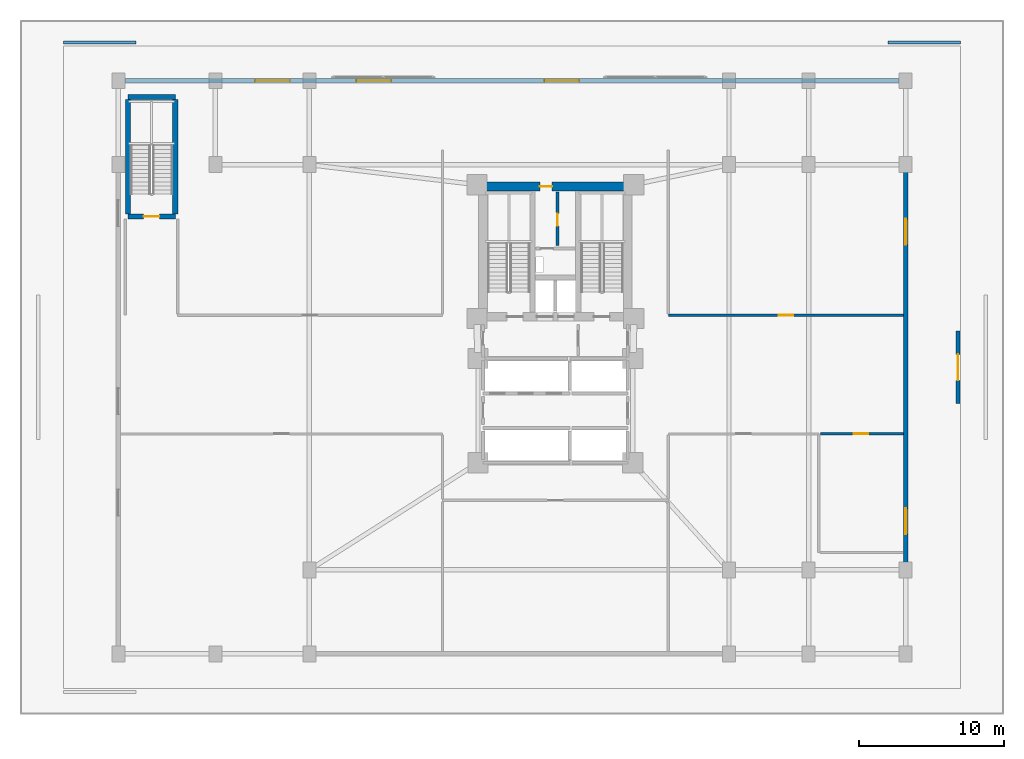
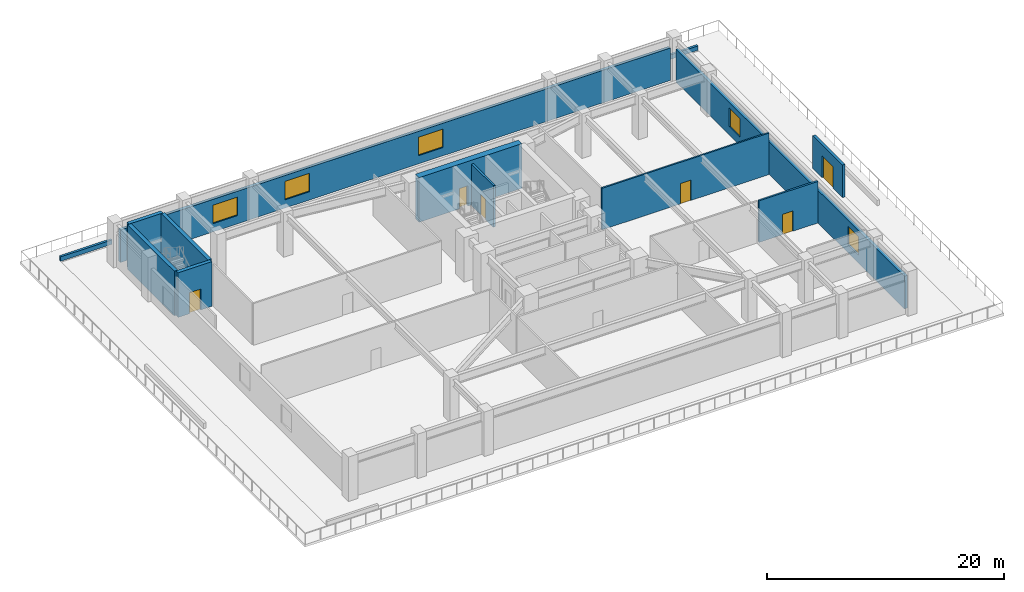
# One storey, part 7 of 10: 13 walls, 6 doors, 5 windows, 11 openings.
"""IFC4 building model written with IfcOpenShell, lengths in metres."""

from ifc_helpers import new_model, si_unit, direction, frame, frame_2d, origin, place, context, subcontext, project, spatial, rectangle, extrude, material, layer, layer_set, type_object, element, fill, save


model = new_model("IFC4")

# Units and contexts
model_context = context("Model", 3, precision=1e-05, world=origin(), true_north=direction((0.0, 1.0)))
body_context = subcontext(model_context, "Body", "Model", "MODEL_VIEW")
ifc_project = project(units=[si_unit("LENGTHUNIT", "METRE"), si_unit("AREAUNIT", "SQUARE_METRE"), si_unit("VOLUMEUNIT", "CUBIC_METRE"), si_unit("PLANEANGLEUNIT", "RADIAN"), si_unit("MASSUNIT", "GRAM", prefix="KILO")], contexts=[model_context])

# Site, building, storey
site_placement = place(None, origin())
site = spatial("IfcSite", under=ifc_project, at=site_placement, CompositionType="ELEMENT")
building_placement = place(site_placement, origin())
building = spatial("IfcBuilding", under=site, at=building_placement, Name="Varnakorn Sky Granary", CompositionType="ELEMENT")
storey_placement = place(building_placement, frame((0.0, 0.0, 9.199951171875)))
storey = spatial("IfcBuildingStorey", under=building, at=storey_placement, Name="L02", CompositionType="ELEMENT", Elevation=9.199951171875)

# Wall, opening, door
ifc_material_1 = material(Name="Concrete C50/60", Category="concrete")
ifc_layer_1 = layer(ifc_material_1, 0.35009765625, Name="Concrete C50/60")
ifc_layer_set_1 = layer_set([ifc_layer_1], Name="Concrete C50/60")
wall_type_1 = type_object("IfcWallType", Name="WT-CW-INT-350", PredefinedType="SHEAR", material=ifc_layer_set_1)
wall_1_placement = place(storey_placement, frame((-26.550048828125, 10.419921875, 0.0), z_axis=(0.0, 0.0, 1.0), x_axis=(1.0, 0.0, 0.0)))
wall_1 = element("IfcWall", 1, at=wall_1_placement, inside=storey, type_object=wall_type_1, Name="Podium Stair ST-B3 South Wall L02", PredefinedType="SHEAR", context=body_context, shape_type="SweptSolid", body=[
    extrude(rectangle(XDim=3.280029296875, YDim=0.35009765625, at=frame_2d((1.64013671875, 0.0))), origin(), (0.0, 0.0, 1.0), 4.592041015625),
])
opening_1_placement = place(wall_1_placement, frame((1.090087890625, 0.0, 0.0)))
opening_1 = element("IfcOpeningElement", 2, at=opening_1_placement, cuts=wall_1, Name="Opening FD-90", PredefinedType="OPENING", context=body_context, shape_type="SweptSolid", body=[
    extrude(rectangle(XDim=1.10009765625, YDim=2.14990234375, at=frame_2d((0.550048828125, 1.074951171875))), frame((0.0, 0.18505859375, 0.0), z_axis=(0.0, -1.0, 0.0), x_axis=(1.0, 0.0, 0.0)), (0.0, 0.0, 1.0), 0.3701171875),
])
ifc_material_2 = material(Name="Galvanised Painted Steel Leaf", Category="steel")
door_type_1 = type_object("IfcDoorType", Name="DR-STAIR-1100", OperationType="NOTDEFINED", PredefinedType="DOOR", material=ifc_material_2)
door_1_placement = place(opening_1_placement, origin())
door_1 = element("IfcDoor", 3, at=door_1_placement, inside=storey, type_object=door_type_1, Name="Basement Stair ST-B3 Protected Fire Door L02", OperationType="SINGLE_SWING_LEFT", OverallHeight=2.14990234375, OverallWidth=1.10009765625, PredefinedType="DOOR", context=body_context, shape_type="SweptSolid", body=[
    extrude(rectangle(XDim=1.10009765625, YDim=2.14990234375, at=frame_2d((0.550048828125, 1.074951171875))), frame((0.0, 0.02490234375, 0.0), z_axis=(0.0, -1.0, 0.0), x_axis=(1.0, 0.0, 0.0)), (0.0, 0.0, 1.0), 0.050048828125),
])
fill(opening_1, door_1)

# Walls
wall_2_placement = place(storey_placement, frame((-26.550048828125, 18.679931640625, 0.0), z_axis=(0.0, 0.0, 1.0), x_axis=(1.0, 0.0, 0.0)))
element("IfcWall", 4, at=wall_2_placement, inside=storey, type_object=wall_type_1, Name="Podium Stair ST-B3 North Wall L02", PredefinedType="SHEAR", context=body_context, shape_type="SweptSolid", body=[
    extrude(rectangle(XDim=3.280029296875, YDim=0.35009765625, at=frame_2d((1.64013671875, 0.0))), origin(), (0.0, 0.0, 1.0), 4.592041015625),
])
for number, where, z_axis, x_axis, name in (
    (5, (-26.550048828125, 10.610107421875, 0.0), (0.0, 0.0, 1.0), (0.0, 1.0, 0.0), "Podium Stair ST-B3 West Wall L02"),
    (6, (-23.27001953125, 10.610107421875, 0.0), (0.0, 0.0, 1.0), (0.0, 1.0, 0.0), "Podium Stair ST-B3 East Wall L02"),
):
    element("IfcWall", number, at=place(storey_placement, frame(where, z_axis=z_axis, x_axis=x_axis)), inside=storey, type_object=wall_type_1, Name=name, PredefinedType="SHEAR", context=body_context, shape_type="SweptSolid", body=[
        extrude(rectangle(XDim=7.8798828125, YDim=0.35009765625, at=frame_2d((3.93994140625, 0.0))), origin(), (0.0, 0.0, 1.0), 4.592041015625),
    ])

# Wall, opening, door
ifc_material_3 = material(Name="Concrete C60/75", Category="concrete")
ifc_layer_2 = layer(ifc_material_3, 0.60009765625, Name="Concrete C60/75")
ifc_layer_set_2 = layer_set([ifc_layer_2], Name="Concrete C60/75")
wall_type_2 = type_object("IfcWallType", Name="WT-CW-SHEAR-600", PredefinedType="SHEAR", material=ifc_layer_set_2)
wall_3_placement = place(storey_placement, frame((-2.0, 12.5, 0.0), z_axis=(0.0, 0.0, 1.0), x_axis=(1.0, 0.0, 0.0)))
wall_3 = element("IfcWall", 7, at=wall_3_placement, inside=storey, type_object=wall_type_2, Name="Core North Shear Wall L02", PredefinedType="SHEAR", context=body_context, shape_type="SweptSolid", body=[
    extrude(rectangle(XDim=10.0, YDim=0.60009765625, at=frame_2d((5.0, 0.0))), origin(), (0.0, 0.0, 1.0), 4.592041015625),
])
opening_2_placement = place(wall_3_placement, frame((3.919921875, 0.0, 0.0)))
opening_2 = element("IfcOpeningElement", 8, at=opening_2_placement, cuts=wall_3, Name="Opening FD-60N", PredefinedType="OPENING", context=body_context, shape_type="SweptSolid", body=[
    extrude(rectangle(XDim=0.85009765625, YDim=2.10009765625, at=frame_2d((0.425048828125, 1.050048828125))), frame((0.0, 0.31005859375, 0.0), z_axis=(0.0, -1.0, 0.0), x_axis=(1.0, 0.0, 0.0)), (0.0, 0.0, 1.0), 0.6201171875),
])
ifc_material_4 = material(Name="Acoustic Timber Fire Leaf", Category="wood")
door_type_2 = type_object("IfcDoorType", Name="DR-FD60-850", OperationType="NOTDEFINED", PredefinedType="DOOR", material=ifc_material_4)
door_2_placement = place(opening_2_placement, origin())
door_2 = element("IfcDoor", 9, at=door_2_placement, inside=storey, type_object=door_type_2, Name="Core North Service Door L02", OperationType="SINGLE_SWING_RIGHT", OverallHeight=2.10009765625, OverallWidth=0.85009765625, PredefinedType="DOOR", context=body_context, shape_type="SweptSolid", body=[
    extrude(rectangle(XDim=0.85009765625, YDim=2.10009765625, at=frame_2d((0.425048828125, 1.050048828125))), frame((0.0, 0.02490234375, 0.0), z_axis=(0.0, -1.0, 0.0), x_axis=(1.0, 0.0, 0.0)), (0.0, 0.0, 1.0), 0.050048828125),
])
fill(opening_2, door_2)

# Wall, openings, windows
ifc_material_5 = material(Name="Precast concrete C40/50", Category="concrete")
ifc_layer_3 = layer(ifc_material_5, 0.300048828125, Name="Precast concrete C40/50")
ifc_layer_set_3 = layer_set([ifc_layer_3], Name="Precast concrete C40/50")
wall_type_3 = type_object("IfcWallType", Name="WT-EW-POD-300", PredefinedType="SOLIDWALL", material=ifc_layer_set_3)
wall_4_placement = place(storey_placement, frame((-26.7548828125, 19.800048828125, 0.0), z_axis=(0.0, 0.0, 1.0), x_axis=(1.0, 0.0, 0.0)))
wall_4 = element("IfcWall", 10, at=wall_4_placement, inside=storey, type_object=wall_type_3, Name="Podium Exterior Facade Wall L02-N", PredefinedType="SOLIDWALL", context=body_context, shape_type="SweptSolid", body=[
    extrude(rectangle(XDim=53.509765625, YDim=0.300048828125, at=frame_2d((26.7548828125, 0.0))), origin(), (0.0, 0.0, 1.0), 3.35009765625),
])
opening_3_placement = place(wall_4_placement, frame((9.0, 0.0, 0.85009765625)))
opening_3 = element("IfcOpeningElement", 11, at=opening_3_placement, cuts=wall_4, Name="Opening WN-01", PredefinedType="OPENING", context=body_context, shape_type="SweptSolid", body=[
    extrude(rectangle(XDim=2.39990234375, YDim=1.89990234375, at=frame_2d((1.199951171875, 0.949951171875))), frame((0.0, 0.16015625, 0.0), z_axis=(0.0, -1.0, 0.0), x_axis=(1.0, 0.0, 0.0)), (0.0, 0.0, 1.0), 0.320068359375),
])
opening_4_placement = place(wall_4_placement, frame((16.0, 0.0, 0.85009765625)))
opening_4 = element("IfcOpeningElement", 12, at=opening_4_placement, cuts=wall_4, Name="Opening WN-01", PredefinedType="OPENING", context=body_context, shape_type="SweptSolid", body=[
    extrude(rectangle(XDim=2.39990234375, YDim=1.89990234375, at=frame_2d((1.199951171875, 0.949951171875))), frame((0.0, 0.16015625, 0.0), z_axis=(0.0, -1.0, 0.0), x_axis=(1.0, 0.0, 0.0)), (0.0, 0.0, 1.0), 0.320068359375),
])
opening_5_placement = place(wall_4_placement, frame((29.0, 0.0, 0.85009765625)))
opening_5 = element("IfcOpeningElement", 13, at=opening_5_placement, cuts=wall_4, Name="Opening WN-01", PredefinedType="OPENING", context=body_context, shape_type="SweptSolid", body=[
    extrude(rectangle(XDim=2.39990234375, YDim=1.89990234375, at=frame_2d((1.199951171875, 0.949951171875))), frame((0.0, 0.16015625, 0.0), z_axis=(0.0, -1.0, 0.0), x_axis=(1.0, 0.0, 0.0)), (0.0, 0.0, 1.0), 0.320068359375),
])
ifc_material_6 = material(Name="Low-E Tinted Laminated Glass", Category="glass")
window_type_1 = type_object("IfcWindowType", Name="WN-POD-2400", PartitioningType="SINGLE_PANEL", PredefinedType="WINDOW", material=ifc_material_6)
window_1_placement = place(opening_3_placement, origin())
window_1 = element("IfcWindow", 14, at=window_1_placement, inside=storey, type_object=window_type_1, Name="Podium Facade Window L02-N", OverallHeight=1.89990234375, OverallWidth=2.39990234375, PartitioningType="SINGLE_PANEL", PredefinedType="WINDOW", context=body_context, shape_type="SweptSolid", body=[
    extrude(rectangle(XDim=2.39990234375, YDim=1.89990234375, at=frame_2d((1.199951171875, 0.949951171875))), frame((0.0, 0.030029296875, 0.0), z_axis=(0.0, -1.0, 0.0), x_axis=(1.0, 0.0, 0.0)), (0.0, 0.0, 1.0), 0.06005859375),
])
fill(opening_3, window_1)
window_2_placement = place(opening_4_placement, origin())
window_2 = element("IfcWindow", 15, at=window_2_placement, inside=storey, type_object=window_type_1, Name="Podium Facade Window L02-N", OverallHeight=1.89990234375, OverallWidth=2.39990234375, PartitioningType="SINGLE_PANEL", PredefinedType="WINDOW", context=body_context, shape_type="SweptSolid", body=[
    extrude(rectangle(XDim=2.39990234375, YDim=1.89990234375, at=frame_2d((1.199951171875, 0.949951171875))), frame((0.0, 0.030029296875, 0.0), z_axis=(0.0, -1.0, 0.0), x_axis=(1.0, 0.0, 0.0)), (0.0, 0.0, 1.0), 0.06005859375),
])
fill(opening_4, window_2)
window_3_placement = place(opening_5_placement, origin())
window_3 = element("IfcWindow", 16, at=window_3_placement, inside=storey, type_object=window_type_1, Name="Podium Facade Window L02-N", OverallHeight=1.89990234375, OverallWidth=2.39990234375, PartitioningType="SINGLE_PANEL", PredefinedType="WINDOW", context=body_context, shape_type="SweptSolid", body=[
    extrude(rectangle(XDim=2.39990234375, YDim=1.89990234375, at=frame_2d((1.199951171875, 0.949951171875))), frame((0.0, 0.030029296875, 0.0), z_axis=(0.0, -1.0, 0.0), x_axis=(1.0, 0.0, 0.0)), (0.0, 0.0, 1.0), 0.06005859375),
])
fill(opening_5, window_3)

wall_5_placement = place(storey_placement, frame((27.199951171875, 19.2548828125, 0.0), z_axis=(0.0, 0.0, 1.0), x_axis=(0.0, -1.0, 0.0)))
wall_5 = element("IfcWall", 17, at=wall_5_placement, inside=storey, type_object=wall_type_3, Name="Podium Exterior Facade Wall L02-E", PredefinedType="SOLIDWALL", context=body_context, shape_type="SweptSolid", body=[
    extrude(rectangle(XDim=38.509765625, YDim=0.300048828125, at=frame_2d((19.2548828125, 0.0))), origin(), (0.0, 0.0, 1.0), 3.35009765625),
])
opening_6_placement = place(wall_5_placement, frame((9.0, 0.0, 0.85009765625)))
opening_6 = element("IfcOpeningElement", 18, at=opening_6_placement, cuts=wall_5, Name="Opening WN-02", PredefinedType="OPENING", context=body_context, shape_type="SweptSolid", body=[
    extrude(rectangle(XDim=1.800048828125, YDim=1.89990234375, at=frame_2d((0.89990234375, 0.949951171875))), frame((0.0, 0.16015625, 0.0), z_axis=(0.0, -1.0, 0.0), x_axis=(1.0, 0.0, 0.0)), (0.0, 0.0, 1.0), 0.320068359375),
])
opening_7_placement = place(wall_5_placement, frame((29.0, 0.0, 0.85009765625)))
opening_7 = element("IfcOpeningElement", 19, at=opening_7_placement, cuts=wall_5, Name="Opening WN-02", PredefinedType="OPENING", context=body_context, shape_type="SweptSolid", body=[
    extrude(rectangle(XDim=1.800048828125, YDim=1.89990234375, at=frame_2d((0.89990234375, 0.949951171875))), frame((0.0, 0.16015625, 0.0), z_axis=(0.0, -1.0, 0.0), x_axis=(1.0, 0.0, 0.0)), (0.0, 0.0, 1.0), 0.320068359375),
])
window_type_2 = type_object("IfcWindowType", Name="WN-POD-1800", PartitioningType="SINGLE_PANEL", PredefinedType="WINDOW", material=ifc_material_6)
window_4_placement = place(opening_6_placement, origin())
window_4 = element("IfcWindow", 20, at=window_4_placement, inside=storey, type_object=window_type_2, Name="Podium Facade Window L02-E", OverallHeight=1.89990234375, OverallWidth=1.800048828125, PartitioningType="SINGLE_PANEL", PredefinedType="WINDOW", context=body_context, shape_type="SweptSolid", body=[
    extrude(rectangle(XDim=1.800048828125, YDim=1.89990234375, at=frame_2d((0.89990234375, 0.949951171875))), frame((0.0, 0.030029296875, 0.0), z_axis=(0.0, -1.0, 0.0), x_axis=(1.0, 0.0, 0.0)), (0.0, 0.0, 1.0), 0.06005859375),
])
fill(opening_6, window_4)
window_5_placement = place(opening_7_placement, origin())
window_5 = element("IfcWindow", 21, at=window_5_placement, inside=storey, type_object=window_type_2, Name="Podium Facade Window L02-E", OverallHeight=1.89990234375, OverallWidth=1.800048828125, PartitioningType="SINGLE_PANEL", PredefinedType="WINDOW", context=body_context, shape_type="SweptSolid", body=[
    extrude(rectangle(XDim=1.800048828125, YDim=1.89990234375, at=frame_2d((0.89990234375, 0.949951171875))), frame((0.0, 0.030029296875, 0.0), z_axis=(0.0, -1.0, 0.0), x_axis=(1.0, 0.0, 0.0)), (0.0, 0.0, 1.0), 0.06005859375),
])
fill(opening_7, window_5)

# Wall, opening, door
ifc_layer_4 = layer(ifc_material_5, 0.260009765625, Name="Precast concrete C40/50")
ifc_layer_set_4 = layer_set([ifc_layer_4], Name="Precast concrete C40/50")
wall_type_4 = type_object("IfcWallType", Name="WT-EW-TER-260", PredefinedType="SOLIDWALL", material=ifc_layer_set_4)
wall_6_placement = place(storey_placement, frame((30.820068359375, 2.5, 0.0), z_axis=(0.0, 0.0, 1.0), x_axis=(0.0, -1.0, 0.0)))
wall_6 = element("IfcWall", 22, at=wall_6_placement, inside=storey, type_object=wall_type_4, Name="Terrace Access Threshold Wall L02", PredefinedType="SOLIDWALL", context=body_context, shape_type="SweptSolid", body=[
    extrude(rectangle(XDim=5.0, YDim=0.260009765625, at=frame_2d((2.5, 0.0))), origin(), (0.0, 0.0, 1.0), 3.35009765625),
])
opening_8_placement = place(wall_6_placement, frame((1.60009765625, 0.0, 0.0)))
opening_8 = element("IfcOpeningElement", 23, at=opening_8_placement, cuts=wall_6, Name="Opening TD-01", PredefinedType="OPENING", context=body_context, shape_type="SweptSolid", body=[
    extrude(rectangle(XDim=1.800048828125, YDim=2.25, at=frame_2d((0.89990234375, 1.125))), frame((0.0, 0.14013671875, 0.0), z_axis=(0.0, -1.0, 0.0), x_axis=(1.0, 0.0, 0.0)), (0.0, 0.0, 1.0), 0.280029296875),
])
ifc_material_7 = material(Name="Anodised Bronze Aluminium Alloy 6063-T6", Category="aluminium")
door_type_3 = type_object("IfcDoorType", Name="DR-TERR-1800", OperationType="NOTDEFINED", PredefinedType="DOOR", material=ifc_material_7)
door_3_placement = place(opening_8_placement, origin())
door_3 = element("IfcDoor", 24, at=door_3_placement, inside=storey, type_object=door_type_3, Name="Cascading Terrace Garden Door L02", OperationType="DOUBLE_DOOR_SINGLE_SWING", OverallHeight=2.25, OverallWidth=1.800048828125, PredefinedType="DOOR", context=body_context, shape_type="SweptSolid", body=[
    extrude(rectangle(XDim=1.800048828125, YDim=2.25, at=frame_2d((0.89990234375, 1.125))), frame((0.0, 0.02490234375, 0.0), z_axis=(0.0, -1.0, 0.0), x_axis=(1.0, 0.0, 0.0)), (0.0, 0.0, 1.0), 0.050048828125),
])
fill(opening_8, door_3)

ifc_material_8 = material(Name="Autoclaved Aerated Concrete Blockwork", Category="masonry")
ifc_layer_5 = layer(ifc_material_8, 0.199951171875, Name="Autoclaved Aerated Concrete Blockwork")
ifc_layer_set_5 = layer_set([ifc_layer_5], Name="Autoclaved Aerated Concrete Blockwork")
wall_type_5 = type_object("IfcWallType", Name="WT-FIRE-200", PredefinedType="MOVABLE", material=ifc_layer_set_5)
wall_7_placement = place(storey_placement, frame((3.14990234375, 8.429931640625, 0.0), z_axis=(0.0, 0.0, 1.0), x_axis=(0.0, 1.0, 0.0)))
wall_7 = element("IfcWall", 25, at=wall_7_placement, inside=storey, type_object=wall_type_5, Name="Interior Partition Wall L02-016", PredefinedType="MOVABLE", context=body_context, shape_type="SweptSolid", body=[
    extrude(rectangle(XDim=3.670166015625, YDim=0.199951171875, at=frame_2d((1.8349609375, 0.0))), origin(), (0.0, 0.0, 1.0), 4.280029296875),
])
opening_9_placement = place(wall_7_placement, frame((1.340087890625, 0.0, 0.0)))
opening_9 = element("IfcOpeningElement", 26, at=opening_9_placement, cuts=wall_7, Name="Opening FD-60N", PredefinedType="OPENING", context=body_context, shape_type="SweptSolid", body=[
    extrude(rectangle(XDim=0.85009765625, YDim=2.10009765625, at=frame_2d((0.425048828125, 1.050048828125))), frame((0.0, 0.10986328125, 0.0), z_axis=(0.0, -1.0, 0.0), x_axis=(1.0, 0.0, 0.0)), (0.0, 0.0, 1.0), 0.219970703125),
])
door_4_placement = place(opening_9_placement, origin())
door_4 = element("IfcDoor", 27, at=door_4_placement, inside=storey, type_object=door_type_2, Name="Interior Door L02-016-1", OperationType="SINGLE_SWING_RIGHT", OverallHeight=2.10009765625, OverallWidth=0.85009765625, PredefinedType="DOOR", context=body_context, shape_type="SweptSolid", body=[
    extrude(rectangle(XDim=0.85009765625, YDim=2.10009765625, at=frame_2d((0.425048828125, 1.050048828125))), frame((0.0, 0.02490234375, 0.0), z_axis=(0.0, -1.0, 0.0), x_axis=(1.0, 0.0, 0.0)), (0.0, 0.0, 1.0), 0.050048828125),
])
fill(opening_9, door_4)

ifc_material_9 = material(Name="Gypsum Plasterboard on Steel Stud", Category="steel")
ifc_layer_6 = layer(ifc_material_9, 0.14990234375, Name="Gypsum Plasterboard on Steel Stud")
ifc_layer_set_6 = layer_set([ifc_layer_6], Name="Gypsum Plasterboard on Steel Stud")
wall_type_6 = type_object("IfcWallType", Name="WT-PART-150", PredefinedType="PARTITIONING", material=ifc_layer_set_6)
wall_8_placement = place(storey_placement, frame((27.050048828125, 3.60009765625, 0.0), z_axis=(0.0, 0.0, 1.0), x_axis=(-1.0, 0.0, 0.0)))
wall_8 = element("IfcWall", 28, at=wall_8_placement, inside=storey, type_object=wall_type_6, Name="Interior Partition Wall L02-023", PredefinedType="PARTITIONING", context=body_context, shape_type="SweptSolid", body=[
    extrude(rectangle(XDim=16.25, YDim=0.14990234375, at=frame_2d((8.125, 0.0))), origin(), (0.0, 0.0, 1.0), 4.280029296875),
])
opening_10_placement = place(wall_8_placement, frame((7.625, 0.0, 0.0)))
opening_10 = element("IfcOpeningElement", 29, at=opening_10_placement, cuts=wall_8, Name="Opening ID-100", PredefinedType="OPENING", context=body_context, shape_type="SweptSolid", body=[
    extrude(rectangle(XDim=1.0, YDim=2.10009765625, at=frame_2d((0.5, 1.050048828125))), frame((0.0, 0.0849609375, 0.0), z_axis=(0.0, -1.0, 0.0), x_axis=(1.0, 0.0, 0.0)), (0.0, 0.0, 1.0), 0.169921875),
])
ifc_material_10 = material(Name="Solid-Core Teak Veneer Leaf", Category="timber")
door_type_4 = type_object("IfcDoorType", Name="DR-INT-1000", OperationType="NOTDEFINED", PredefinedType="DOOR", material=ifc_material_10)
door_5_placement = place(opening_10_placement, origin())
door_5 = element("IfcDoor", 30, at=door_5_placement, inside=storey, type_object=door_type_4, Name="Interior Door L02-023-1", OperationType="SINGLE_SWING_LEFT", OverallHeight=2.10009765625, OverallWidth=1.0, PredefinedType="DOOR", context=body_context, shape_type="SweptSolid", body=[
    extrude(rectangle(XDim=1.0, YDim=2.10009765625, at=frame_2d((0.5, 1.050048828125))), frame((0.0, 0.02490234375, 0.0), z_axis=(0.0, -1.0, 0.0), x_axis=(1.0, 0.0, 0.0)), (0.0, 0.0, 1.0), 0.050048828125),
])
fill(opening_10, door_5)

ifc_material_11 = material(Name="Moisture-Resistant Gypsum on Stud", Category="gypsum")
ifc_layer_7 = layer(ifc_material_11, 0.179931640625, Name="Moisture-Resistant Gypsum on Stud")
ifc_layer_set_7 = layer_set([ifc_layer_7], Name="Moisture-Resistant Gypsum on Stud")
wall_type_7 = type_object("IfcWallType", Name="WT-PLUMB-180", PredefinedType="PLUMBINGWALL", material=ifc_layer_set_7)
wall_9_placement = place(storey_placement, frame((21.3349609375, -4.60009765625, 0.0), z_axis=(0.0, 0.0, 1.0), x_axis=(1.0, 0.0, 0.0)))
wall_9 = element("IfcWall", 31, at=wall_9_placement, inside=storey, type_object=wall_type_7, Name="Interior Partition Wall L02-026", PredefinedType="PLUMBINGWALL", context=body_context, shape_type="SweptSolid", body=[
    extrude(rectangle(XDim=5.715087890625, YDim=0.179931640625, at=frame_2d((2.857421875, 0.0))), origin(), (0.0, 0.0, 1.0), 4.280029296875),
])
opening_11_placement = place(wall_9_placement, frame((2.2900390625, 0.0, 0.0)))
opening_11 = element("IfcOpeningElement", 32, at=opening_11_placement, cuts=wall_9, Name="Opening ID-100", PredefinedType="OPENING", context=body_context, shape_type="SweptSolid", body=[
    extrude(rectangle(XDim=1.0, YDim=2.10009765625, at=frame_2d((0.5, 1.050048828125))), frame((0.0, 0.10009765625, 0.0), z_axis=(0.0, -1.0, 0.0), x_axis=(1.0, 0.0, 0.0)), (0.0, 0.0, 1.0), 0.199951171875),
])
door_6_placement = place(opening_11_placement, origin())
door_6 = element("IfcDoor", 33, at=door_6_placement, inside=storey, type_object=door_type_4, Name="Interior Door L02-026-1", OperationType="SINGLE_SWING_RIGHT", OverallHeight=2.10009765625, OverallWidth=1.0, PredefinedType="DOOR", context=body_context, shape_type="SweptSolid", body=[
    extrude(rectangle(XDim=1.0, YDim=2.10009765625, at=frame_2d((0.5, 1.050048828125))), frame((0.0, 0.02490234375, 0.0), z_axis=(0.0, -1.0, 0.0), x_axis=(1.0, 0.0, 0.0)), (0.0, 0.0, 1.0), 0.050048828125),
])
fill(opening_11, door_6)

# Walls
ifc_layer_8 = layer(ifc_material_5, 0.219970703125, Name="Precast concrete C40/50")
ifc_layer_set_8 = layer_set([ifc_layer_8], Name="Precast concrete C40/50")
wall_type_8 = type_object("IfcWallType", Name="WT-WP-PAR-220", PredefinedType="PARAPET", material=ifc_layer_set_8)
for number, where, z_axis, x_axis, name in (
    (34, (-31.0, 22.449951171875, 0.0), (0.0, 0.0, 1.0), (1.0, 0.0, 0.0), "Terrace Upstand Curb Parapet L02-1"),
    (35, (26.0, 22.449951171875, 0.0), (0.0, 0.0, 1.0), (1.0, 0.0, 0.0), "Terrace Upstand Curb Parapet L02-2"),
):
    element("IfcWall", number, at=place(storey_placement, frame(where, z_axis=z_axis, x_axis=x_axis)), inside=storey, type_object=wall_type_8, Name=name, PredefinedType="PARAPET", context=body_context, shape_type="SweptSolid", body=[
        extrude(rectangle(XDim=5.0, YDim=0.219970703125, at=frame_2d((2.5, 0.0))), origin(), (0.0, 0.0, 1.0), 0.449951171875),
    ])

save(model, "model.ifc")
